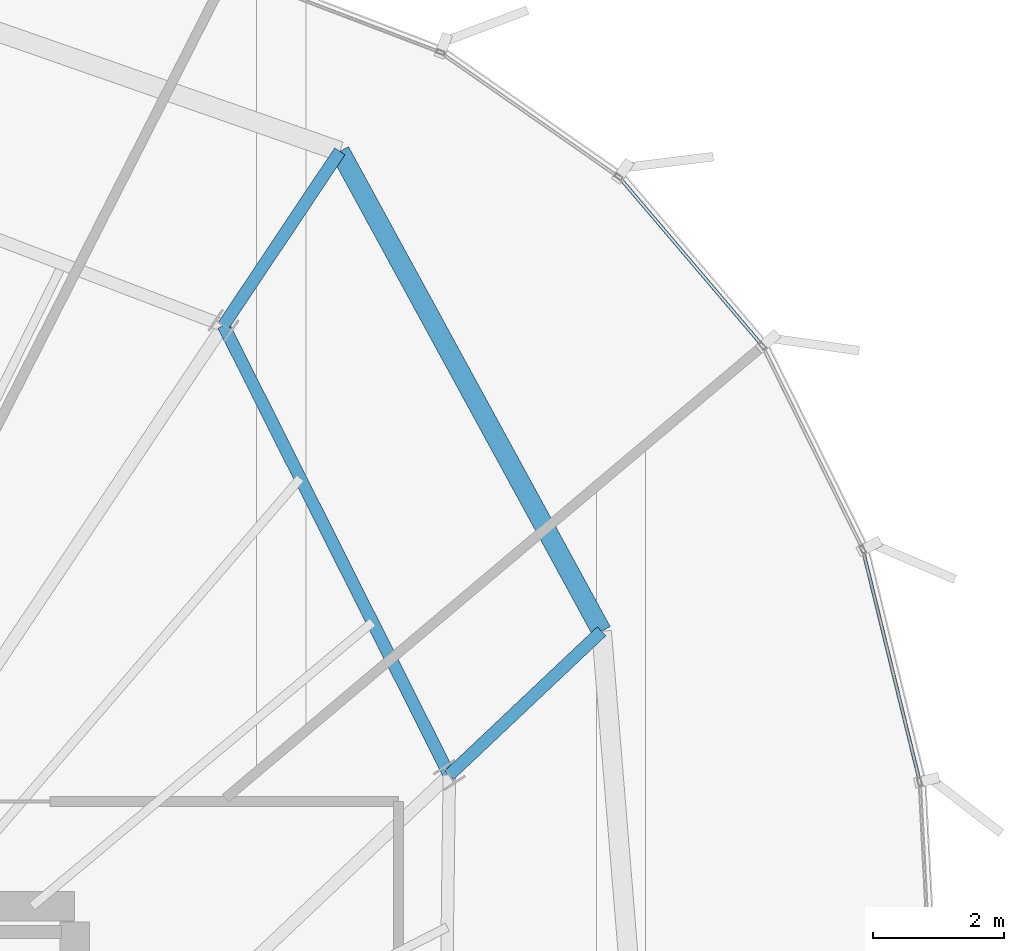
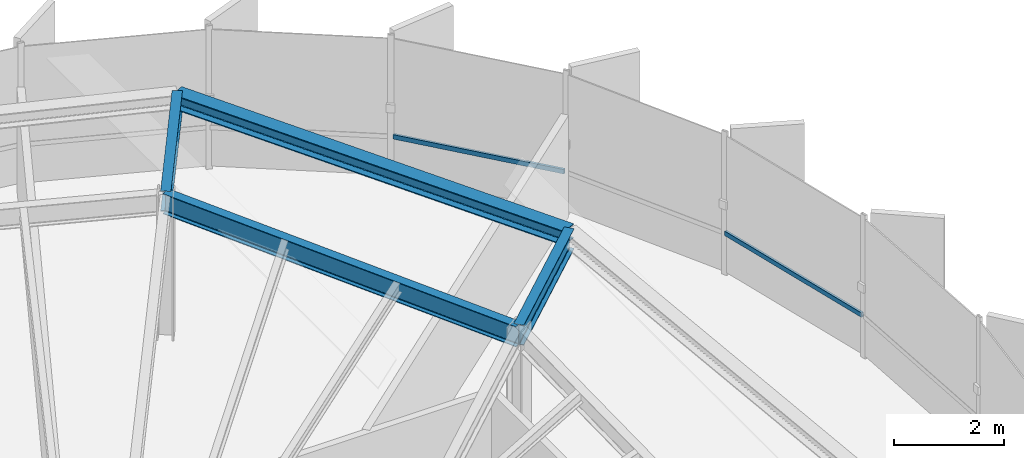
# One storey, part 25 of 36: 4 beams, 2 members, 1 element without a shape of its own.
"""IFC4 building model written with IfcOpenShell, lengths in metres."""

from ifc_helpers import new_model, si_unit, direction, frame, origin, origin_2d, place, context, subcontext, project, spatial, hollow_rectangle, i_section, extrude, source, transform, mapped, material, layer, layer_set, material_profile, profile_set, type_object, element, aggregate, save


model = new_model("IFC4")

# Units and contexts
model_context = context("Model", 3, precision=1e-05, world=origin(), true_north=direction((0.0, 1.0)))
body_context = subcontext(model_context, "Body", "Model", "MODEL_VIEW")
ifc_project = project(units=[si_unit("LENGTHUNIT", "METRE"), si_unit("AREAUNIT", "SQUARE_METRE"), si_unit("VOLUMEUNIT", "CUBIC_METRE"), si_unit("PLANEANGLEUNIT", "RADIAN"), si_unit("MASSUNIT", "GRAM", prefix="KILO"), si_unit("THERMODYNAMICTEMPERATUREUNIT", "KELVIN")], contexts=[model_context])

# Site, building, storey
site_placement = place(None, origin())
site = spatial("IfcSite", under=ifc_project, at=site_placement, CompositionType="ELEMENT")
building_placement = place(site_placement, origin())
building = spatial("IfcBuilding", under=site, at=building_placement, Name="Kethvar Cultural Tower", CompositionType="ELEMENT")
storey_placement = place(building_placement, frame((0.0, 0.0, 228.39990234375)))
storey = spatial("IfcBuildingStorey", under=building, at=storey_placement, Name="L59", CompositionType="ELEMENT", Elevation=228.39990234375)

# Beams
ifc_material_1 = material(Name="Steel S355J2", Category="steel")
ifc_material_profile_1 = material_profile(ifc_material_1, i_section(OverallWidth=0.18994140625, OverallDepth=0.449951171875, WebThickness=0.009521484375, FlangeThickness=0.0146484375, FilletRadius=0.02099609375, at=origin_2d()), Name="Steel S355J2 — IPE450")
ifc_profile_set_1 = profile_set([ifc_material_profile_1], Name="Steel S355J2 — IPE450")
beam_type_1 = type_object("IfcBeamType", Name="BM-IPE450", PredefinedType="BEAM", material=ifc_profile_set_1)
shared_shape_1 = source(origin(), body_context, "Body", "SweptSolid", [
    extrude(i_section(OverallWidth=0.18994140625, OverallDepth=0.449951171875, WebThickness=0.009521484375, FlangeThickness=0.0146484375, FilletRadius=0.02099609375, at=origin_2d()), origin(), (0.0, 0.0, 1.0), 3.199951171875),
])
beam_1_placement = place(storey_placement, frame((61.32568359375, 37.505859375, 2.983154296875), z_axis=(0.727146433404, 0.686482384616, 0.0), x_axis=(-0.686482384616, 0.727146433404, 0.0)))
element("IfcBeam", 1, at=beam_1_placement, inside=storey, type_object=beam_type_1, Name="L59 Perimeter Cantilever Beam RC-02", PredefinedType="BEAM", context=body_context, shape_type="MappedRepresentation", body=[
    mapped(shared_shape_1, transform((0.0, 0.0, 0.0), scale=1.0)),
])
shared_shape_2 = source(origin(), body_context, "Body", "SweptSolid", [
    extrude(i_section(OverallWidth=0.18994140625, OverallDepth=0.449951171875, WebThickness=0.009521484375, FlangeThickness=0.0146484375, FilletRadius=0.02099609375, at=origin_2d()), origin(), (0.0, 0.0, 1.0), 3.2001953125),
])
beam_2_placement = place(storey_placement, frame((57.875244140625, 44.375, 2.983154296875), z_axis=(0.555544970406, 0.831486491686, 0.0), x_axis=(-0.831486491686, 0.555544970406, 0.0)))
element("IfcBeam", 2, at=beam_2_placement, inside=storey, type_object=beam_type_1, Name="L59 Perimeter Cantilever Beam RC-03", PredefinedType="BEAM", context=body_context, shape_type="MappedRepresentation", body=[
    mapped(shared_shape_2, transform((0.0, 0.0, 0.0), scale=1.0)),
])
shared_shape_3 = source(origin(), body_context, "Body", "SweptSolid", [
    extrude(i_section(OverallWidth=0.18994140625, OverallDepth=0.449951171875, WebThickness=0.009521484375, FlangeThickness=0.0146484375, FilletRadius=0.02099609375, at=origin_2d()), origin(), (0.0, 0.0, 1.0), 7.68701171875),
])
beam_3_placement = place(storey_placement, frame((61.32568359375, 37.505859375, 2.983154296875), z_axis=(-0.448864354142, 0.893599905763, 0.0), x_axis=(-0.893599905763, -0.448864354142, 0.0)))
element("IfcBeam", 3, at=beam_3_placement, inside=storey, type_object=beam_type_1, Name="L59 Column Ring Tie Beam CR-02", PredefinedType="BEAM", context=body_context, shape_type="MappedRepresentation", body=[
    mapped(shared_shape_3, transform((0.0, 0.0, 0.0), scale=1.0)),
])
ifc_material_profile_2 = material_profile(ifc_material_1, i_section(OverallWidth=0.300048828125, OverallDepth=0.320068359375, WebThickness=0.011474609375, FlangeThickness=0.0205078125, FilletRadius=0.027099609375, at=origin_2d()), Name="Steel S355J2 — HEB320")
ifc_profile_set_2 = profile_set([ifc_material_profile_2], Name="Steel S355J2 — HEB320")
beam_type_2 = type_object("IfcBeamType", Name="BM-SP320", PredefinedType="SPANDREL", material=ifc_profile_set_2)
shared_shape_4 = source(origin(), body_context, "Body", "SweptSolid", [
    extrude(i_section(OverallWidth=0.300048828125, OverallDepth=0.320068359375, WebThickness=0.011474609375, FlangeThickness=0.0205078125, FilletRadius=0.027099609375, at=origin_2d()), origin(), (0.0, 0.0, 1.0), 8.35302734375),
])
beam_4_placement = place(storey_placement, frame((63.652587890625, 39.70263671875, 3.048095703125), z_axis=(-0.478811173891, 0.877917911742, 0.0), x_axis=(-0.877917911742, -0.478811173891, 0.0)))
element("IfcBeam", 4, at=beam_4_placement, inside=storey, type_object=beam_type_2, Name="L59 Perimeter Spandrel Beam SP-02", PredefinedType="SPANDREL", context=body_context, shape_type="MappedRepresentation", body=[
    mapped(shared_shape_4, transform((0.0, 0.0, 0.0), scale=1.0)),
])

# Curtain wall, members
ifc_material_2 = material(Name="Aluminium 6063-T6", Category="aluminium")
ifc_layer = layer(ifc_material_2, 0.179931640625, Name="Aluminium 6063-T6", Category="aluminium")
ifc_layer_set = layer_set([ifc_layer], Name="Aluminium 6063-T6 (180 mm)")
curtain_wall_type = type_object("IfcCurtainWallType", Name="CW-SYS-05-Z56", PredefinedType="NOTDEFINED", material=ifc_layer_set)
curtain_wall_placement = place(storey_placement, origin())
curtain_wall = element("IfcCurtainWall", 5, at=curtain_wall_placement, inside=storey, type_object=curtain_wall_type, Name="L59 Curtain Wall Run 06", PredefinedType="NOTDEFINED")
ifc_material_profile_3 = material_profile(ifc_material_2, hollow_rectangle(XDim=0.050048828125, YDim=0.10009765625, WallThickness=0.00390625, at=origin_2d()), Name="Aluminium 6063-T6 — RHS100x50x4")
ifc_profile_set_3 = profile_set([ifc_material_profile_3], Name="Aluminium 6063-T6 — RHS100x50x4")
member_type = type_object("IfcMemberType", Name="CW-SYS-05-Z56-TRN", PredefinedType="USERDEFINED", material=ifc_profile_set_3)
shared_shape_5 = source(origin(), body_context, "Body", "SweptSolid", [
    extrude(hollow_rectangle(XDim=0.050048828125, YDim=0.10009765625, WallThickness=0.00390625, at=origin_2d()), origin(), (0.0, 0.0, 1.0), 3.30224609375),
])
member_1_placement = place(storey_placement, frame((66.087890625, 44.091552734375, 0.9501953125), z_axis=(-0.647326463288, 0.762212863921, 0.0), x_axis=(-0.762212863921, -0.647326463288, 0.0)))
member_1 = element("IfcMember", 6, at=member_1_placement, type_object=member_type, Name="CW-L59-R06 Transom 6", ObjectType="TRANSOM", PredefinedType="USERDEFINED", context=body_context, shape_type="MappedRepresentation", body=[
    mapped(shared_shape_5, transform((0.0, 0.0, 0.0), scale=1.0)),
])
shared_shape_6 = source(origin(), body_context, "Body", "SweptSolid", [
    extrude(hollow_rectangle(XDim=0.050048828125, YDim=0.10009765625, WallThickness=0.00390625, at=origin_2d()), origin(), (0.0, 0.0, 1.0), 3.59716796875),
])
member_2_placement = place(storey_placement, frame((68.505615234375, 37.438232421875, 0.9501953125), z_axis=(-0.238285544073, 0.971195139756, 0.0), x_axis=(-0.971195139756, -0.238285544073, 0.0)))
member_2 = element("IfcMember", 7, at=member_2_placement, type_object=member_type, Name="CW-L59-R06 Transom 4", ObjectType="TRANSOM", PredefinedType="USERDEFINED", context=body_context, shape_type="MappedRepresentation", body=[
    mapped(shared_shape_6, transform((0.0, 0.0, 0.0), scale=1.0)),
])
aggregate(curtain_wall, [member_2, member_1])

save(model, "model.ifc")
